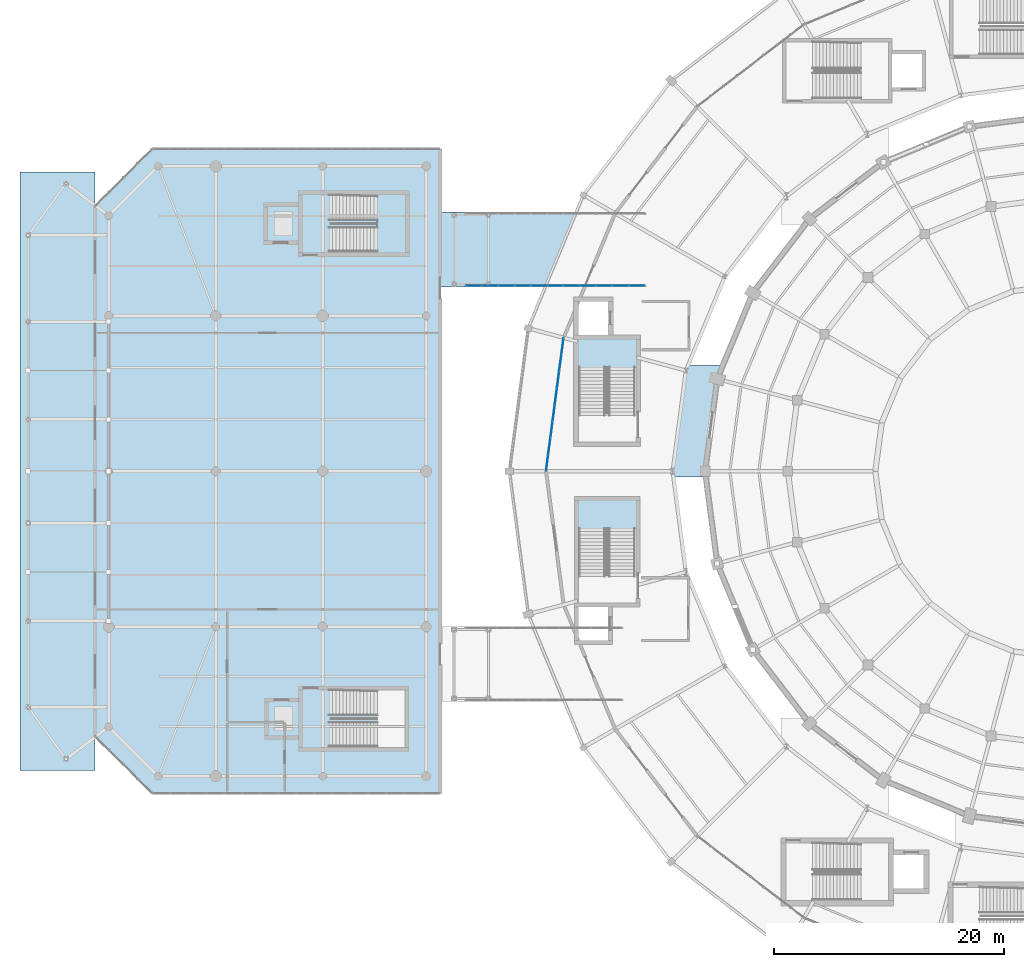
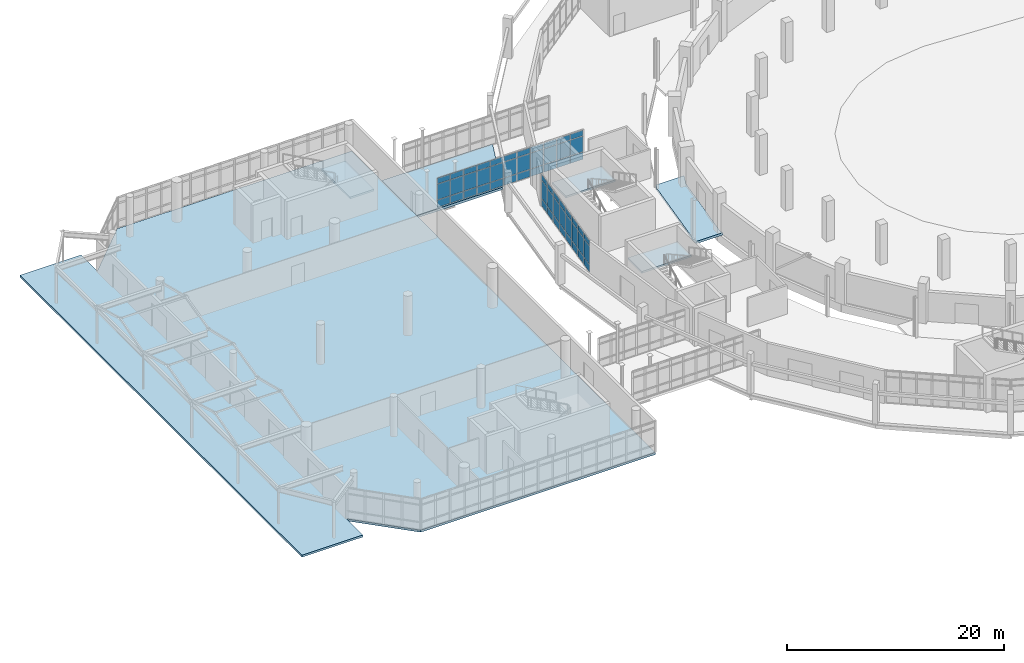
# One storey, part 84 of 122: 57 plates, 6 slabs, 5 elements without a shape of their own.
"""IFC4 building model written with IfcOpenShell, lengths in metres."""

from ifc_helpers import new_model, si_unit, direction, frame, origin, origin_2d, place, context, subcontext, project, spatial, polyline, rectangle, outline, extrude, material, layer, layer_set, type_object, element, aggregate, save


model = new_model("IFC4")

# Units and contexts
model_context = context("Model", 3, precision=1e-05, world=origin(), true_north=direction((0.0, 1.0)))
body_context = subcontext(model_context, "Body", "Model", "MODEL_VIEW")
ifc_project = project(units=[si_unit("LENGTHUNIT", "METRE"), si_unit("AREAUNIT", "SQUARE_METRE"), si_unit("VOLUMEUNIT", "CUBIC_METRE"), si_unit("PLANEANGLEUNIT", "RADIAN"), si_unit("MASSUNIT", "GRAM", prefix="KILO")], contexts=[model_context])

# Site, building, storey
site_placement = place(None, origin())
site = spatial("IfcSite", under=ifc_project, at=site_placement, CompositionType="ELEMENT")
building_placement = place(site_placement, origin())
building = spatial("IfcBuilding", under=site, at=building_placement, Name="Sohan Crest Arena", CompositionType="ELEMENT")
storey_placement = place(building_placement, origin())
storey = spatial("IfcBuildingStorey", under=building, at=storey_placement, Name="L00", CompositionType="ELEMENT", Elevation=0.0)

# Curtain wall, plates
ifc_material_1 = material(Name="Thermally broken anodised aluminium", Category="aluminium")
ifc_layer_1 = layer(ifc_material_1, 0.179931640625, Name="Thermally broken anodised aluminium")
ifc_layer_set_1 = layer_set([ifc_layer_1], Name="Thermally broken anodised aluminium")
curtain_wall_type_1 = type_object("IfcCurtainWallType", Name="ARC-CW01", PredefinedType="NOTDEFINED", material=ifc_layer_set_1)
curtain_wall_1_placement = place(storey_placement, origin())
curtain_wall_1 = element("IfcCurtainWall", 1, at=curtain_wall_1_placement, inside=storey, type_object=curtain_wall_type_1, Name="Unitised curtain wall CW-004", PredefinedType="NOTDEFINED")
ifc_material_2 = material(Name="Low-E double-glazed insulated glass", Category="glass")
ifc_layer_2 = layer(ifc_material_2, 0.028076171875, Name="Low-E double-glazed insulated glass")
ifc_layer_set_2 = layer_set([ifc_layer_2], Name="Low-E double-glazed insulated glass")
plate_type = type_object("IfcPlateType", Name="ARC-CNP01", PredefinedType="CURTAIN_PANEL", material=ifc_layer_set_2)
plate_1_placement = place(storey_placement, frame((54.629638671875, 88.85546875, 0.06005859375), z_axis=(0.0, 0.0, 1.0), x_axis=(-0.13056731648, -0.991439446395, 0.0)))
plate_1 = element("IfcPlate", 2, at=plate_1_placement, type_object=plate_type, Name="CW-004 panel 1.1", PredefinedType="CURTAIN_PANEL", context=body_context, shape_type="SweptSolid", body=[
    extrude(rectangle(XDim=1.371826171875, YDim=0.028076171875, at=origin_2d()), origin(), (0.0, 0.0, 1.0), 0.81005859375),
])
plate_2_placement = place(storey_placement, frame((54.629638671875, 88.85546875, 0.929931640625), z_axis=(0.0, 0.0, 1.0), x_axis=(-0.13056731648, -0.991439446395, 0.0)))
plate_2 = element("IfcPlate", 3, at=plate_2_placement, type_object=plate_type, Name="CW-004 panel 1.2", PredefinedType="CURTAIN_PANEL", context=body_context, shape_type="SweptSolid", body=[
    extrude(rectangle(XDim=1.371826171875, YDim=0.028076171875, at=origin_2d()), origin(), (0.0, 0.0, 1.0), 2.02001953125),
])
plate_3_placement = place(storey_placement, frame((54.629638671875, 88.85546875, 3.009765625), z_axis=(0.0, 0.0, 1.0), x_axis=(-0.13056731648, -0.991439446395, 0.0)))
plate_3 = element("IfcPlate", 4, at=plate_3_placement, type_object=plate_type, Name="CW-004 panel 1.3", PredefinedType="CURTAIN_PANEL", context=body_context, shape_type="SweptSolid", body=[
    extrude(rectangle(XDim=1.371826171875, YDim=0.028076171875, at=origin_2d()), origin(), (0.0, 0.0, 1.0), 0.610107421875),
])
plate_4_placement = place(storey_placement, frame((54.440673828125, 87.4208984375, 0.06005859375), z_axis=(0.0, 0.0, 1.0), x_axis=(-0.13056731648, -0.991439446395, 0.0)))
plate_4 = element("IfcPlate", 5, at=plate_4_placement, type_object=plate_type, Name="CW-004 panel 2.1", PredefinedType="CURTAIN_PANEL", context=body_context, shape_type="SweptSolid", body=[
    extrude(rectangle(XDim=1.40185546875, YDim=0.028076171875, at=origin_2d()), origin(), (0.0, 0.0, 1.0), 0.81005859375),
])
plate_5_placement = place(storey_placement, frame((54.440673828125, 87.4208984375, 0.929931640625), z_axis=(0.0, 0.0, 1.0), x_axis=(-0.13056731648, -0.991439446395, 0.0)))
plate_5 = element("IfcPlate", 6, at=plate_5_placement, type_object=plate_type, Name="CW-004 panel 2.2", PredefinedType="CURTAIN_PANEL", context=body_context, shape_type="SweptSolid", body=[
    extrude(rectangle(XDim=1.40185546875, YDim=0.028076171875, at=origin_2d()), origin(), (0.0, 0.0, 1.0), 2.02001953125),
])
plate_6_placement = place(storey_placement, frame((54.440673828125, 87.4208984375, 3.009765625), z_axis=(0.0, 0.0, 1.0), x_axis=(-0.13056731648, -0.991439446395, 0.0)))
plate_6 = element("IfcPlate", 7, at=plate_6_placement, type_object=plate_type, Name="CW-004 panel 2.3", PredefinedType="CURTAIN_PANEL", context=body_context, shape_type="SweptSolid", body=[
    extrude(rectangle(XDim=1.40185546875, YDim=0.028076171875, at=origin_2d()), origin(), (0.0, 0.0, 1.0), 0.610107421875),
])
plate_7_placement = place(storey_placement, frame((54.249755859375, 85.9716796875, 0.06005859375), z_axis=(0.0, 0.0, 1.0), x_axis=(-0.13056731648, -0.991439446395, 0.0)))
plate_7 = element("IfcPlate", 8, at=plate_7_placement, type_object=plate_type, Name="CW-004 panel 3.1", PredefinedType="CURTAIN_PANEL", context=body_context, shape_type="SweptSolid", body=[
    extrude(rectangle(XDim=1.40185546875, YDim=0.028076171875, at=origin_2d()), origin(), (0.0, 0.0, 1.0), 0.81005859375),
])
plate_8_placement = place(storey_placement, frame((54.249755859375, 85.9716796875, 0.929931640625), z_axis=(0.0, 0.0, 1.0), x_axis=(-0.13056731648, -0.991439446395, 0.0)))
plate_8 = element("IfcPlate", 9, at=plate_8_placement, type_object=plate_type, Name="CW-004 panel 3.2", PredefinedType="CURTAIN_PANEL", context=body_context, shape_type="SweptSolid", body=[
    extrude(rectangle(XDim=1.40185546875, YDim=0.028076171875, at=origin_2d()), origin(), (0.0, 0.0, 1.0), 2.02001953125),
])
plate_9_placement = place(storey_placement, frame((54.249755859375, 85.9716796875, 3.009765625), z_axis=(0.0, 0.0, 1.0), x_axis=(-0.13056731648, -0.991439446395, 0.0)))
plate_9 = element("IfcPlate", 10, at=plate_9_placement, type_object=plate_type, Name="CW-004 panel 3.3", PredefinedType="CURTAIN_PANEL", context=body_context, shape_type="SweptSolid", body=[
    extrude(rectangle(XDim=1.40185546875, YDim=0.028076171875, at=origin_2d()), origin(), (0.0, 0.0, 1.0), 0.610107421875),
])
plate_10_placement = place(storey_placement, frame((54.058837890625, 84.522216796875, 0.06005859375), z_axis=(0.0, 0.0, 1.0), x_axis=(-0.13056731648, -0.991439446395, 0.0)))
plate_10 = element("IfcPlate", 11, at=plate_10_placement, type_object=plate_type, Name="CW-004 panel 4.1", PredefinedType="CURTAIN_PANEL", context=body_context, shape_type="SweptSolid", body=[
    extrude(rectangle(XDim=1.40185546875, YDim=0.028076171875, at=origin_2d()), origin(), (0.0, 0.0, 1.0), 0.81005859375),
])
plate_11_placement = place(storey_placement, frame((54.058837890625, 84.522216796875, 0.929931640625), z_axis=(0.0, 0.0, 1.0), x_axis=(-0.13056731648, -0.991439446395, 0.0)))
plate_11 = element("IfcPlate", 12, at=plate_11_placement, type_object=plate_type, Name="CW-004 panel 4.2", PredefinedType="CURTAIN_PANEL", context=body_context, shape_type="SweptSolid", body=[
    extrude(rectangle(XDim=1.40185546875, YDim=0.028076171875, at=origin_2d()), origin(), (0.0, 0.0, 1.0), 2.02001953125),
])
plate_12_placement = place(storey_placement, frame((54.058837890625, 84.522216796875, 3.009765625), z_axis=(0.0, 0.0, 1.0), x_axis=(-0.13056731648, -0.991439446395, 0.0)))
plate_12 = element("IfcPlate", 13, at=plate_12_placement, type_object=plate_type, Name="CW-004 panel 4.3", PredefinedType="CURTAIN_PANEL", context=body_context, shape_type="SweptSolid", body=[
    extrude(rectangle(XDim=1.40185546875, YDim=0.028076171875, at=origin_2d()), origin(), (0.0, 0.0, 1.0), 0.610107421875),
])
plate_13_placement = place(storey_placement, frame((53.8681640625, 83.07275390625, 0.06005859375), z_axis=(0.0, 0.0, 1.0), x_axis=(-0.13056731648, -0.991439446395, 0.0)))
plate_13 = element("IfcPlate", 14, at=plate_13_placement, type_object=plate_type, Name="CW-004 panel 5.1", PredefinedType="CURTAIN_PANEL", context=body_context, shape_type="SweptSolid", body=[
    extrude(rectangle(XDim=1.40185546875, YDim=0.028076171875, at=origin_2d()), origin(), (0.0, 0.0, 1.0), 0.81005859375),
])
plate_14_placement = place(storey_placement, frame((53.8681640625, 83.07275390625, 0.929931640625), z_axis=(0.0, 0.0, 1.0), x_axis=(-0.13056731648, -0.991439446395, 0.0)))
plate_14 = element("IfcPlate", 15, at=plate_14_placement, type_object=plate_type, Name="CW-004 panel 5.2", PredefinedType="CURTAIN_PANEL", context=body_context, shape_type="SweptSolid", body=[
    extrude(rectangle(XDim=1.40185546875, YDim=0.028076171875, at=origin_2d()), origin(), (0.0, 0.0, 1.0), 2.02001953125),
])
plate_15_placement = place(storey_placement, frame((53.8681640625, 83.07275390625, 3.009765625), z_axis=(0.0, 0.0, 1.0), x_axis=(-0.13056731648, -0.991439446395, 0.0)))
plate_15 = element("IfcPlate", 16, at=plate_15_placement, type_object=plate_type, Name="CW-004 panel 5.3", PredefinedType="CURTAIN_PANEL", context=body_context, shape_type="SweptSolid", body=[
    extrude(rectangle(XDim=1.40185546875, YDim=0.028076171875, at=origin_2d()), origin(), (0.0, 0.0, 1.0), 0.610107421875),
])
plate_16_placement = place(storey_placement, frame((53.67724609375, 81.62353515625, 0.06005859375), z_axis=(0.0, 0.0, 1.0), x_axis=(-0.13056731648, -0.991439446395, 0.0)))
plate_16 = element("IfcPlate", 17, at=plate_16_placement, type_object=plate_type, Name="CW-004 panel 6.1", PredefinedType="CURTAIN_PANEL", context=body_context, shape_type="SweptSolid", body=[
    extrude(rectangle(XDim=1.40185546875, YDim=0.028076171875, at=origin_2d()), origin(), (0.0, 0.0, 1.0), 0.81005859375),
])
plate_17_placement = place(storey_placement, frame((53.67724609375, 81.62353515625, 0.929931640625), z_axis=(0.0, 0.0, 1.0), x_axis=(-0.13056731648, -0.991439446395, 0.0)))
plate_17 = element("IfcPlate", 18, at=plate_17_placement, type_object=plate_type, Name="CW-004 panel 6.2", PredefinedType="CURTAIN_PANEL", context=body_context, shape_type="SweptSolid", body=[
    extrude(rectangle(XDim=1.40185546875, YDim=0.028076171875, at=origin_2d()), origin(), (0.0, 0.0, 1.0), 2.02001953125),
])
plate_18_placement = place(storey_placement, frame((53.67724609375, 81.62353515625, 3.009765625), z_axis=(0.0, 0.0, 1.0), x_axis=(-0.13056731648, -0.991439446395, 0.0)))
plate_18 = element("IfcPlate", 19, at=plate_18_placement, type_object=plate_type, Name="CW-004 panel 6.3", PredefinedType="CURTAIN_PANEL", context=body_context, shape_type="SweptSolid", body=[
    extrude(rectangle(XDim=1.40185546875, YDim=0.028076171875, at=origin_2d()), origin(), (0.0, 0.0, 1.0), 0.610107421875),
])
plate_19_placement = place(storey_placement, frame((53.486328125, 80.174072265625, 0.06005859375), z_axis=(0.0, 0.0, 1.0), x_axis=(-0.13056731648, -0.991439446395, 0.0)))
plate_19 = element("IfcPlate", 20, at=plate_19_placement, type_object=plate_type, Name="CW-004 panel 7.1", PredefinedType="CURTAIN_PANEL", context=body_context, shape_type="SweptSolid", body=[
    extrude(rectangle(XDim=1.40185546875, YDim=0.028076171875, at=origin_2d()), origin(), (0.0, 0.0, 1.0), 0.81005859375),
])
plate_20_placement = place(storey_placement, frame((53.486328125, 80.174072265625, 0.929931640625), z_axis=(0.0, 0.0, 1.0), x_axis=(-0.13056731648, -0.991439446395, 0.0)))
plate_20 = element("IfcPlate", 21, at=plate_20_placement, type_object=plate_type, Name="CW-004 panel 7.2", PredefinedType="CURTAIN_PANEL", context=body_context, shape_type="SweptSolid", body=[
    extrude(rectangle(XDim=1.40185546875, YDim=0.028076171875, at=origin_2d()), origin(), (0.0, 0.0, 1.0), 2.02001953125),
])
plate_21_placement = place(storey_placement, frame((53.486328125, 80.174072265625, 3.009765625), z_axis=(0.0, 0.0, 1.0), x_axis=(-0.13056731648, -0.991439446395, 0.0)))
plate_21 = element("IfcPlate", 22, at=plate_21_placement, type_object=plate_type, Name="CW-004 panel 7.3", PredefinedType="CURTAIN_PANEL", context=body_context, shape_type="SweptSolid", body=[
    extrude(rectangle(XDim=1.40185546875, YDim=0.028076171875, at=origin_2d()), origin(), (0.0, 0.0, 1.0), 0.610107421875),
])
plate_22_placement = place(storey_placement, frame((53.29736328125, 78.739501953125, 0.06005859375), z_axis=(0.0, 0.0, 1.0), x_axis=(-0.13056731648, -0.991439446395, 0.0)))
plate_22 = element("IfcPlate", 23, at=plate_22_placement, type_object=plate_type, Name="CW-004 panel 8.1", PredefinedType="CURTAIN_PANEL", context=body_context, shape_type="SweptSolid", body=[
    extrude(rectangle(XDim=1.371826171875, YDim=0.028076171875, at=origin_2d()), origin(), (0.0, 0.0, 1.0), 0.81005859375),
])
plate_23_placement = place(storey_placement, frame((53.29736328125, 78.739501953125, 0.929931640625), z_axis=(0.0, 0.0, 1.0), x_axis=(-0.13056731648, -0.991439446395, 0.0)))
plate_23 = element("IfcPlate", 24, at=plate_23_placement, type_object=plate_type, Name="CW-004 panel 8.2", PredefinedType="CURTAIN_PANEL", context=body_context, shape_type="SweptSolid", body=[
    extrude(rectangle(XDim=1.371826171875, YDim=0.028076171875, at=origin_2d()), origin(), (0.0, 0.0, 1.0), 2.02001953125),
])
plate_24_placement = place(storey_placement, frame((53.29736328125, 78.739501953125, 3.009765625), z_axis=(0.0, 0.0, 1.0), x_axis=(-0.13056731648, -0.991439446395, 0.0)))
plate_24 = element("IfcPlate", 25, at=plate_24_placement, type_object=plate_type, Name="CW-004 panel 8.3", PredefinedType="CURTAIN_PANEL", context=body_context, shape_type="SweptSolid", body=[
    extrude(rectangle(XDim=1.371826171875, YDim=0.028076171875, at=origin_2d()), origin(), (0.0, 0.0, 1.0), 0.610107421875),
])
aggregate(curtain_wall_1, [plate_1, plate_2, plate_3, plate_4, plate_5, plate_6, plate_7, plate_8, plate_9, plate_10, plate_11, plate_12, plate_13, plate_14, plate_15, plate_16, plate_17, plate_18, plate_19, plate_20, plate_21, plate_22, plate_23, plate_24])

ifc_layer_3 = layer(ifc_material_1, 0.18994140625, Name="Thermally broken anodised aluminium")
ifc_layer_set_3 = layer_set([ifc_layer_3], Name="Thermally broken anodised aluminium")
curtain_wall_type_2 = type_object("IfcCurtainWallType", Name="ARC-CW05", PredefinedType="NOTDEFINED", material=ifc_layer_set_3)
curtain_wall_2_placement = place(storey_placement, origin())
curtain_wall_2 = element("IfcCurtainWall", 26, at=curtain_wall_2_placement, inside=storey, type_object=curtain_wall_type_2, Name="Unitised curtain wall CW-231", PredefinedType="NOTDEFINED")
plate_25_placement = place(storey_placement, frame((46.92529296875, 94.1201171875, 0.06005859375), z_axis=(0.0, 0.0, 1.0), x_axis=(1.0, 0.0, 0.0)))
plate_25 = element("IfcPlate", 27, at=plate_25_placement, type_object=plate_type, Name="CW-231 panel 1.1", PredefinedType="CURTAIN_PANEL", context=body_context, shape_type="SweptSolid", body=[
    extrude(rectangle(XDim=1.32080078125, YDim=0.028076171875, at=origin_2d()), origin(), (0.0, 0.0, 1.0), 0.81005859375),
])
plate_26_placement = place(storey_placement, frame((46.92529296875, 94.1201171875, 0.93017578125), z_axis=(0.0, 0.0, 1.0), x_axis=(1.0, 0.0, 0.0)))
plate_26 = element("IfcPlate", 28, at=plate_26_placement, type_object=plate_type, Name="CW-231 panel 1.2", PredefinedType="CURTAIN_PANEL", context=body_context, shape_type="SweptSolid", body=[
    extrude(rectangle(XDim=1.32080078125, YDim=0.028076171875, at=origin_2d()), origin(), (0.0, 0.0, 1.0), 1.739990234375),
])
plate_27_placement = place(storey_placement, frame((46.92529296875, 94.1201171875, 2.72998046875), z_axis=(0.0, 0.0, 1.0), x_axis=(1.0, 0.0, 0.0)))
plate_27 = element("IfcPlate", 29, at=plate_27_placement, type_object=plate_type, Name="CW-231 panel 1.3", PredefinedType="CURTAIN_PANEL", context=body_context, shape_type="SweptSolid", body=[
    extrude(rectangle(XDim=1.32080078125, YDim=0.028076171875, at=origin_2d()), origin(), (0.0, 0.0, 1.0), 0.610107421875),
])
plate_28_placement = place(storey_placement, frame((48.327392578125, 94.1201171875, 0.06005859375), z_axis=(0.0, 0.0, 1.0), x_axis=(1.0, 0.0, 0.0)))
plate_28 = element("IfcPlate", 30, at=plate_28_placement, type_object=plate_type, Name="CW-231 panel 2.1", PredefinedType="CURTAIN_PANEL", context=body_context, shape_type="SweptSolid", body=[
    extrude(rectangle(XDim=1.353271484375, YDim=0.028076171875, at=origin_2d()), origin(), (0.0, 0.0, 1.0), 0.81005859375),
])
plate_29_placement = place(storey_placement, frame((48.327392578125, 94.1201171875, 0.93017578125), z_axis=(0.0, 0.0, 1.0), x_axis=(1.0, 0.0, 0.0)))
plate_29 = element("IfcPlate", 31, at=plate_29_placement, type_object=plate_type, Name="CW-231 panel 2.2", PredefinedType="CURTAIN_PANEL", context=body_context, shape_type="SweptSolid", body=[
    extrude(rectangle(XDim=1.353271484375, YDim=0.028076171875, at=origin_2d()), origin(), (0.0, 0.0, 1.0), 1.739990234375),
])
plate_30_placement = place(storey_placement, frame((48.327392578125, 94.1201171875, 2.72998046875), z_axis=(0.0, 0.0, 1.0), x_axis=(1.0, 0.0, 0.0)))
plate_30 = element("IfcPlate", 32, at=plate_30_placement, type_object=plate_type, Name="CW-231 panel 2.3", PredefinedType="CURTAIN_PANEL", context=body_context, shape_type="SweptSolid", body=[
    extrude(rectangle(XDim=1.353271484375, YDim=0.028076171875, at=origin_2d()), origin(), (0.0, 0.0, 1.0), 0.610107421875),
])
plate_31_placement = place(storey_placement, frame((49.745361328125, 94.1201171875, 0.06005859375), z_axis=(0.0, 0.0, 1.0), x_axis=(1.0, 0.0, 0.0)))
plate_31 = element("IfcPlate", 33, at=plate_31_placement, type_object=plate_type, Name="CW-231 panel 3.1", PredefinedType="CURTAIN_PANEL", context=body_context, shape_type="SweptSolid", body=[
    extrude(rectangle(XDim=1.353271484375, YDim=0.028076171875, at=origin_2d()), origin(), (0.0, 0.0, 1.0), 0.81005859375),
])
plate_32_placement = place(storey_placement, frame((49.745361328125, 94.1201171875, 0.93017578125), z_axis=(0.0, 0.0, 1.0), x_axis=(1.0, 0.0, 0.0)))
plate_32 = element("IfcPlate", 34, at=plate_32_placement, type_object=plate_type, Name="CW-231 panel 3.2", PredefinedType="CURTAIN_PANEL", context=body_context, shape_type="SweptSolid", body=[
    extrude(rectangle(XDim=1.353271484375, YDim=0.028076171875, at=origin_2d()), origin(), (0.0, 0.0, 1.0), 1.739990234375),
])
plate_33_placement = place(storey_placement, frame((49.745361328125, 94.1201171875, 2.72998046875), z_axis=(0.0, 0.0, 1.0), x_axis=(1.0, 0.0, 0.0)))
plate_33 = element("IfcPlate", 35, at=plate_33_placement, type_object=plate_type, Name="CW-231 panel 3.3", PredefinedType="CURTAIN_PANEL", context=body_context, shape_type="SweptSolid", body=[
    extrude(rectangle(XDim=1.353271484375, YDim=0.028076171875, at=origin_2d()), origin(), (0.0, 0.0, 1.0), 0.610107421875),
])
plate_34_placement = place(storey_placement, frame((51.16357421875, 94.1201171875, 0.06005859375), z_axis=(0.0, 0.0, 1.0), x_axis=(1.0, 0.0, 0.0)))
plate_34 = element("IfcPlate", 36, at=plate_34_placement, type_object=plate_type, Name="CW-231 panel 4.1", PredefinedType="CURTAIN_PANEL", context=body_context, shape_type="SweptSolid", body=[
    extrude(rectangle(XDim=1.353271484375, YDim=0.028076171875, at=origin_2d()), origin(), (0.0, 0.0, 1.0), 0.81005859375),
])
plate_35_placement = place(storey_placement, frame((51.16357421875, 94.1201171875, 0.93017578125), z_axis=(0.0, 0.0, 1.0), x_axis=(1.0, 0.0, 0.0)))
plate_35 = element("IfcPlate", 37, at=plate_35_placement, type_object=plate_type, Name="CW-231 panel 4.2", PredefinedType="CURTAIN_PANEL", context=body_context, shape_type="SweptSolid", body=[
    extrude(rectangle(XDim=1.353271484375, YDim=0.028076171875, at=origin_2d()), origin(), (0.0, 0.0, 1.0), 1.739990234375),
])
plate_36_placement = place(storey_placement, frame((51.16357421875, 94.1201171875, 2.72998046875), z_axis=(0.0, 0.0, 1.0), x_axis=(1.0, 0.0, 0.0)))
plate_36 = element("IfcPlate", 38, at=plate_36_placement, type_object=plate_type, Name="CW-231 panel 4.3", PredefinedType="CURTAIN_PANEL", context=body_context, shape_type="SweptSolid", body=[
    extrude(rectangle(XDim=1.353271484375, YDim=0.028076171875, at=origin_2d()), origin(), (0.0, 0.0, 1.0), 0.610107421875),
])
plate_37_placement = place(storey_placement, frame((52.581787109375, 94.1201171875, 0.06005859375), z_axis=(0.0, 0.0, 1.0), x_axis=(1.0, 0.0, 0.0)))
plate_37 = element("IfcPlate", 39, at=plate_37_placement, type_object=plate_type, Name="CW-231 panel 5.1", PredefinedType="CURTAIN_PANEL", context=body_context, shape_type="SweptSolid", body=[
    extrude(rectangle(XDim=1.353271484375, YDim=0.028076171875, at=origin_2d()), origin(), (0.0, 0.0, 1.0), 0.81005859375),
])
plate_38_placement = place(storey_placement, frame((52.581787109375, 94.1201171875, 0.93017578125), z_axis=(0.0, 0.0, 1.0), x_axis=(1.0, 0.0, 0.0)))
plate_38 = element("IfcPlate", 40, at=plate_38_placement, type_object=plate_type, Name="CW-231 panel 5.2", PredefinedType="CURTAIN_PANEL", context=body_context, shape_type="SweptSolid", body=[
    extrude(rectangle(XDim=1.353271484375, YDim=0.028076171875, at=origin_2d()), origin(), (0.0, 0.0, 1.0), 1.739990234375),
])
plate_39_placement = place(storey_placement, frame((52.581787109375, 94.1201171875, 2.72998046875), z_axis=(0.0, 0.0, 1.0), x_axis=(1.0, 0.0, 0.0)))
plate_39 = element("IfcPlate", 41, at=plate_39_placement, type_object=plate_type, Name="CW-231 panel 5.3", PredefinedType="CURTAIN_PANEL", context=body_context, shape_type="SweptSolid", body=[
    extrude(rectangle(XDim=1.353271484375, YDim=0.028076171875, at=origin_2d()), origin(), (0.0, 0.0, 1.0), 0.610107421875),
])
plate_40_placement = place(storey_placement, frame((54.0, 94.1201171875, 0.06005859375), z_axis=(0.0, 0.0, 1.0), x_axis=(1.0, 0.0, 0.0)))
plate_40 = element("IfcPlate", 42, at=plate_40_placement, type_object=plate_type, Name="CW-231 panel 6.1", PredefinedType="CURTAIN_PANEL", context=body_context, shape_type="SweptSolid", body=[
    extrude(rectangle(XDim=1.353271484375, YDim=0.028076171875, at=origin_2d()), origin(), (0.0, 0.0, 1.0), 0.81005859375),
])
plate_41_placement = place(storey_placement, frame((54.0, 94.1201171875, 0.93017578125), z_axis=(0.0, 0.0, 1.0), x_axis=(1.0, 0.0, 0.0)))
plate_41 = element("IfcPlate", 43, at=plate_41_placement, type_object=plate_type, Name="CW-231 panel 6.2", PredefinedType="CURTAIN_PANEL", context=body_context, shape_type="SweptSolid", body=[
    extrude(rectangle(XDim=1.353271484375, YDim=0.028076171875, at=origin_2d()), origin(), (0.0, 0.0, 1.0), 1.739990234375),
])
plate_42_placement = place(storey_placement, frame((54.0, 94.1201171875, 2.72998046875), z_axis=(0.0, 0.0, 1.0), x_axis=(1.0, 0.0, 0.0)))
plate_42 = element("IfcPlate", 44, at=plate_42_placement, type_object=plate_type, Name="CW-231 panel 6.3", PredefinedType="CURTAIN_PANEL", context=body_context, shape_type="SweptSolid", body=[
    extrude(rectangle(XDim=1.353271484375, YDim=0.028076171875, at=origin_2d()), origin(), (0.0, 0.0, 1.0), 0.610107421875),
])
plate_43_placement = place(storey_placement, frame((55.418212890625, 94.1201171875, 0.06005859375), z_axis=(0.0, 0.0, 1.0), x_axis=(1.0, 0.0, 0.0)))
plate_43 = element("IfcPlate", 45, at=plate_43_placement, type_object=plate_type, Name="CW-231 panel 7.1", PredefinedType="CURTAIN_PANEL", context=body_context, shape_type="SweptSolid", body=[
    extrude(rectangle(XDim=1.353271484375, YDim=0.028076171875, at=origin_2d()), origin(), (0.0, 0.0, 1.0), 0.81005859375),
])
plate_44_placement = place(storey_placement, frame((55.418212890625, 94.1201171875, 0.93017578125), z_axis=(0.0, 0.0, 1.0), x_axis=(1.0, 0.0, 0.0)))
plate_44 = element("IfcPlate", 46, at=plate_44_placement, type_object=plate_type, Name="CW-231 panel 7.2", PredefinedType="CURTAIN_PANEL", context=body_context, shape_type="SweptSolid", body=[
    extrude(rectangle(XDim=1.353271484375, YDim=0.028076171875, at=origin_2d()), origin(), (0.0, 0.0, 1.0), 1.739990234375),
])
plate_45_placement = place(storey_placement, frame((55.418212890625, 94.1201171875, 2.72998046875), z_axis=(0.0, 0.0, 1.0), x_axis=(1.0, 0.0, 0.0)))
plate_45 = element("IfcPlate", 47, at=plate_45_placement, type_object=plate_type, Name="CW-231 panel 7.3", PredefinedType="CURTAIN_PANEL", context=body_context, shape_type="SweptSolid", body=[
    extrude(rectangle(XDim=1.353271484375, YDim=0.028076171875, at=origin_2d()), origin(), (0.0, 0.0, 1.0), 0.610107421875),
])
plate_46_placement = place(storey_placement, frame((56.83642578125, 94.1201171875, 0.06005859375), z_axis=(0.0, 0.0, 1.0), x_axis=(1.0, 0.0, 0.0)))
plate_46 = element("IfcPlate", 48, at=plate_46_placement, type_object=plate_type, Name="CW-231 panel 8.1", PredefinedType="CURTAIN_PANEL", context=body_context, shape_type="SweptSolid", body=[
    extrude(rectangle(XDim=1.353271484375, YDim=0.028076171875, at=origin_2d()), origin(), (0.0, 0.0, 1.0), 0.81005859375),
])
plate_47_placement = place(storey_placement, frame((56.83642578125, 94.1201171875, 0.93017578125), z_axis=(0.0, 0.0, 1.0), x_axis=(1.0, 0.0, 0.0)))
plate_47 = element("IfcPlate", 49, at=plate_47_placement, type_object=plate_type, Name="CW-231 panel 8.2", PredefinedType="CURTAIN_PANEL", context=body_context, shape_type="SweptSolid", body=[
    extrude(rectangle(XDim=1.353271484375, YDim=0.028076171875, at=origin_2d()), origin(), (0.0, 0.0, 1.0), 1.739990234375),
])
plate_48_placement = place(storey_placement, frame((56.83642578125, 94.1201171875, 2.72998046875), z_axis=(0.0, 0.0, 1.0), x_axis=(1.0, 0.0, 0.0)))
plate_48 = element("IfcPlate", 50, at=plate_48_placement, type_object=plate_type, Name="CW-231 panel 8.3", PredefinedType="CURTAIN_PANEL", context=body_context, shape_type="SweptSolid", body=[
    extrude(rectangle(XDim=1.353271484375, YDim=0.028076171875, at=origin_2d()), origin(), (0.0, 0.0, 1.0), 0.610107421875),
])
plate_49_placement = place(storey_placement, frame((58.254638671875, 94.1201171875, 0.06005859375), z_axis=(0.0, 0.0, 1.0), x_axis=(1.0, 0.0, 0.0)))
plate_49 = element("IfcPlate", 51, at=plate_49_placement, type_object=plate_type, Name="CW-231 panel 9.1", PredefinedType="CURTAIN_PANEL", context=body_context, shape_type="SweptSolid", body=[
    extrude(rectangle(XDim=1.353271484375, YDim=0.028076171875, at=origin_2d()), origin(), (0.0, 0.0, 1.0), 0.81005859375),
])
plate_50_placement = place(storey_placement, frame((58.254638671875, 94.1201171875, 0.93017578125), z_axis=(0.0, 0.0, 1.0), x_axis=(1.0, 0.0, 0.0)))
plate_50 = element("IfcPlate", 52, at=plate_50_placement, type_object=plate_type, Name="CW-231 panel 9.2", PredefinedType="CURTAIN_PANEL", context=body_context, shape_type="SweptSolid", body=[
    extrude(rectangle(XDim=1.353271484375, YDim=0.028076171875, at=origin_2d()), origin(), (0.0, 0.0, 1.0), 1.739990234375),
])
plate_51_placement = place(storey_placement, frame((58.254638671875, 94.1201171875, 2.72998046875), z_axis=(0.0, 0.0, 1.0), x_axis=(1.0, 0.0, 0.0)))
plate_51 = element("IfcPlate", 53, at=plate_51_placement, type_object=plate_type, Name="CW-231 panel 9.3", PredefinedType="CURTAIN_PANEL", context=body_context, shape_type="SweptSolid", body=[
    extrude(rectangle(XDim=1.353271484375, YDim=0.028076171875, at=origin_2d()), origin(), (0.0, 0.0, 1.0), 0.610107421875),
])
plate_52_placement = place(storey_placement, frame((59.672607421875, 94.1201171875, 0.06005859375), z_axis=(0.0, 0.0, 1.0), x_axis=(1.0, 0.0, 0.0)))
plate_52 = element("IfcPlate", 54, at=plate_52_placement, type_object=plate_type, Name="CW-231 panel 10.1", PredefinedType="CURTAIN_PANEL", context=body_context, shape_type="SweptSolid", body=[
    extrude(rectangle(XDim=1.353271484375, YDim=0.028076171875, at=origin_2d()), origin(), (0.0, 0.0, 1.0), 0.81005859375),
])
plate_53_placement = place(storey_placement, frame((59.672607421875, 94.1201171875, 0.93017578125), z_axis=(0.0, 0.0, 1.0), x_axis=(1.0, 0.0, 0.0)))
plate_53 = element("IfcPlate", 55, at=plate_53_placement, type_object=plate_type, Name="CW-231 panel 10.2", PredefinedType="CURTAIN_PANEL", context=body_context, shape_type="SweptSolid", body=[
    extrude(rectangle(XDim=1.353271484375, YDim=0.028076171875, at=origin_2d()), origin(), (0.0, 0.0, 1.0), 1.739990234375),
])
plate_54_placement = place(storey_placement, frame((59.672607421875, 94.1201171875, 2.72998046875), z_axis=(0.0, 0.0, 1.0), x_axis=(1.0, 0.0, 0.0)))
plate_54 = element("IfcPlate", 56, at=plate_54_placement, type_object=plate_type, Name="CW-231 panel 10.3", PredefinedType="CURTAIN_PANEL", context=body_context, shape_type="SweptSolid", body=[
    extrude(rectangle(XDim=1.353271484375, YDim=0.028076171875, at=origin_2d()), origin(), (0.0, 0.0, 1.0), 0.610107421875),
])
plate_55_placement = place(storey_placement, frame((61.07470703125, 94.1201171875, 0.06005859375), z_axis=(0.0, 0.0, 1.0), x_axis=(1.0, 0.0, 0.0)))
plate_55 = element("IfcPlate", 57, at=plate_55_placement, type_object=plate_type, Name="CW-231 panel 11.1", PredefinedType="CURTAIN_PANEL", context=body_context, shape_type="SweptSolid", body=[
    extrude(rectangle(XDim=1.32080078125, YDim=0.028076171875, at=origin_2d()), origin(), (0.0, 0.0, 1.0), 0.81005859375),
])
plate_56_placement = place(storey_placement, frame((61.07470703125, 94.1201171875, 0.93017578125), z_axis=(0.0, 0.0, 1.0), x_axis=(1.0, 0.0, 0.0)))
plate_56 = element("IfcPlate", 58, at=plate_56_placement, type_object=plate_type, Name="CW-231 panel 11.2", PredefinedType="CURTAIN_PANEL", context=body_context, shape_type="SweptSolid", body=[
    extrude(rectangle(XDim=1.32080078125, YDim=0.028076171875, at=origin_2d()), origin(), (0.0, 0.0, 1.0), 1.739990234375),
])
plate_57_placement = place(storey_placement, frame((61.07470703125, 94.1201171875, 2.72998046875), z_axis=(0.0, 0.0, 1.0), x_axis=(1.0, 0.0, 0.0)))
plate_57 = element("IfcPlate", 59, at=plate_57_placement, type_object=plate_type, Name="CW-231 panel 11.3", PredefinedType="CURTAIN_PANEL", context=body_context, shape_type="SweptSolid", body=[
    extrude(rectangle(XDim=1.32080078125, YDim=0.028076171875, at=origin_2d()), origin(), (0.0, 0.0, 1.0), 0.610107421875),
])
aggregate(curtain_wall_2, [plate_25, plate_26, plate_27, plate_28, plate_29, plate_30, plate_31, plate_32, plate_33, plate_34, plate_35, plate_36, plate_37, plate_38, plate_39, plate_40, plate_41, plate_42, plate_43, plate_44, plate_45, plate_46, plate_47, plate_48, plate_49, plate_50, plate_51, plate_52, plate_53, plate_54, plate_55, plate_56, plate_57])

# Slabs
ifc_material_3 = material(Name="Concrete C40/50", Category="concrete")
ifc_layer_4 = layer(ifc_material_3, 0.22998046875, Name="Concrete C40/50")
ifc_layer_set_4 = layer_set([ifc_layer_4], Name="Concrete C40/50")
slab_type_1 = type_object("IfcSlabType", Name="SL-FLR2", PredefinedType="FLOOR", material=ifc_layer_set_4)
slab_1_placement = place(storey_placement, frame((0.0, 0.0, -0.22998046875)))
element("IfcSlab", 60, at=slab_1_placement, inside=storey, type_object=slab_type_1, Name="Entrance foyer and forecourt slab SL-L00-V3", PredefinedType="FLOOR", context=body_context, shape_type="SweptSolid", body=[
    extrude(outline(polyline([(19.0, 106.0), (44.0, 106.0), (44.0, 50.0), (19.0, 50.0), (14.0, 55.0), (14.0, 52.0), (7.5, 52.0), (7.5, 104.0), (14.0, 104.0), (14.0, 101.0), (19.0, 106.0)])), origin(), (0.0, 0.0, 1.0), 0.22998046875),
])
ifc_layer_5 = layer(ifc_material_3, 0.25, Name="Concrete C40/50")
ifc_layer_set_5 = layer_set([ifc_layer_5], Name="Concrete C40/50")
slab_type_2 = type_object("IfcSlabType", Name="SL-FLR3", PredefinedType="FLOOR", material=ifc_layer_set_5)
slab_2_placement = place(storey_placement, frame((0.0, 0.0, -0.25)))
element("IfcSlab", 61, at=slab_2_placement, inside=storey, type_object=slab_type_2, Name="Seismic joint threshold slab L00 SL-TH-L00-05", PredefinedType="FLOOR", context=body_context, shape_type="SweptSolid", body=[
    extrude(outline(polyline([(64.199951171875, 78.0), (65.35205078125, 86.748046875), (65.55908203125, 87.248046875), (68.555908203125, 87.248046875), (68.555908203125, 87.22998046875), (68.055908203125, 86.02294921875), (67.0, 78.0), (67.06591796875, 77.5), (64.26611328125, 77.5), (64.199951171875, 78.0)])), origin(), (0.0, 0.0, 1.0), 0.25),
])
ifc_layer_6 = layer(ifc_material_3, 0.27490234375, Name="Concrete C40/50")
ifc_layer_set_6 = layer_set([ifc_layer_6], Name="Concrete C40/50")
slab_type_3 = type_object("IfcSlabType", Name="SL-FLR4", PredefinedType="FLOOR", material=ifc_layer_set_6)
slab_3_placement = place(storey_placement, frame((0.0, 0.0, -0.27490234375)))
element("IfcSlab", 62, at=slab_3_placement, inside=storey, type_object=slab_type_3, Name="Covered bridge BR-W2 L00 deck SL-BR-W2-L00", PredefinedType="FLOOR", context=body_context, shape_type="SweptSolid", body=[
    extrude(outline(polyline([(55.81005859375, 100.5), (53.117919921875, 94.0), (44.0, 94.0), (44.0, 100.5), (55.81005859375, 100.5)])), origin(), (0.0, 0.0, 1.0), 0.27490234375),
])

# Stair, slab
stair_type_1 = type_object("IfcStairType", Name="ST-450", PredefinedType="TWO_STRAIGHT_RUN_STAIR", material=ifc_material_3)
stair_1_placement = place(storey_placement, origin())
stair_1 = element("IfcStair", 63, at=stair_1_placement, inside=storey, type_object=stair_type_1, Name="Protected exit stair ST01-L00", PredefinedType="TWO_STRAIGHT_RUN_STAIR")
ifc_layer_7 = layer(ifc_material_3, 0.199951171875, Name="Concrete C40/50")
ifc_layer_set_7 = layer_set([ifc_layer_7], Name="Concrete C40/50")
slab_type_4 = type_object("IfcSlabType", Name="SL-LND1", PredefinedType="LANDING", material=ifc_layer_set_7)
slab_4_placement = place(storey_placement, frame((0.0, 0.0, 2.050048828125)))
slab_4 = element("IfcSlab", 64, at=slab_4_placement, type_object=slab_type_4, Name="ST01-L00 landing 1", PredefinedType="LANDING", context=body_context, shape_type="SweptSolid", body=[
    extrude(outline(polyline([(55.85009765625, 73.030029296875), (61.14990234375, 73.030029296875), (61.14990234375, 75.60009765625), (55.85009765625, 75.60009765625), (55.85009765625, 73.030029296875)])), origin(), (0.0, 0.0, 1.0), 0.199951171875),
])
aggregate(stair_1, [slab_4])

stair_2_placement = place(storey_placement, origin())
stair_2 = element("IfcStair", 65, at=stair_2_placement, inside=storey, type_object=stair_type_1, Name="Protected exit stair ST02-L00", PredefinedType="TWO_STRAIGHT_RUN_STAIR")
slab_5_placement = place(storey_placement, frame((0.0, 0.0, 2.050048828125)))
slab_5 = element("IfcSlab", 66, at=slab_5_placement, type_object=slab_type_4, Name="ST02-L00 landing 1", PredefinedType="LANDING", context=body_context, shape_type="SweptSolid", body=[
    extrude(outline(polyline([(55.85009765625, 87.030029296875), (61.14990234375, 87.030029296875), (61.14990234375, 89.60009765625), (55.85009765625, 89.60009765625), (55.85009765625, 87.030029296875)])), origin(), (0.0, 0.0, 1.0), 0.199951171875),
])
aggregate(stair_2, [slab_5])

stair_type_2 = type_object("IfcStairType", Name="ST-450W", PredefinedType="TWO_STRAIGHT_RUN_STAIR", material=ifc_material_3)
stair_3_placement = place(storey_placement, origin())
stair_3 = element("IfcStair", 67, at=stair_3_placement, inside=storey, type_object=stair_type_2, Name="Protected exit stair ST14-L00", PredefinedType="TWO_STRAIGHT_RUN_STAIR")
slab_6_placement = place(storey_placement, frame((0.0, 0.0, 2.050048828125)))
slab_6 = element("IfcSlab", 68, at=slab_6_placement, type_object=slab_type_4, Name="ST14-L00 landing 1", PredefinedType="LANDING", context=body_context, shape_type="SweptSolid", body=[
    extrude(outline(polyline([(38.530029296875, 96.85009765625), (41.10009765625, 96.85009765625), (41.10009765625, 102.14990234375), (38.530029296875, 102.14990234375), (38.530029296875, 96.85009765625)])), origin(), (0.0, 0.0, 1.0), 0.199951171875),
])
aggregate(stair_3, [slab_6])

save(model, "model.ifc")
